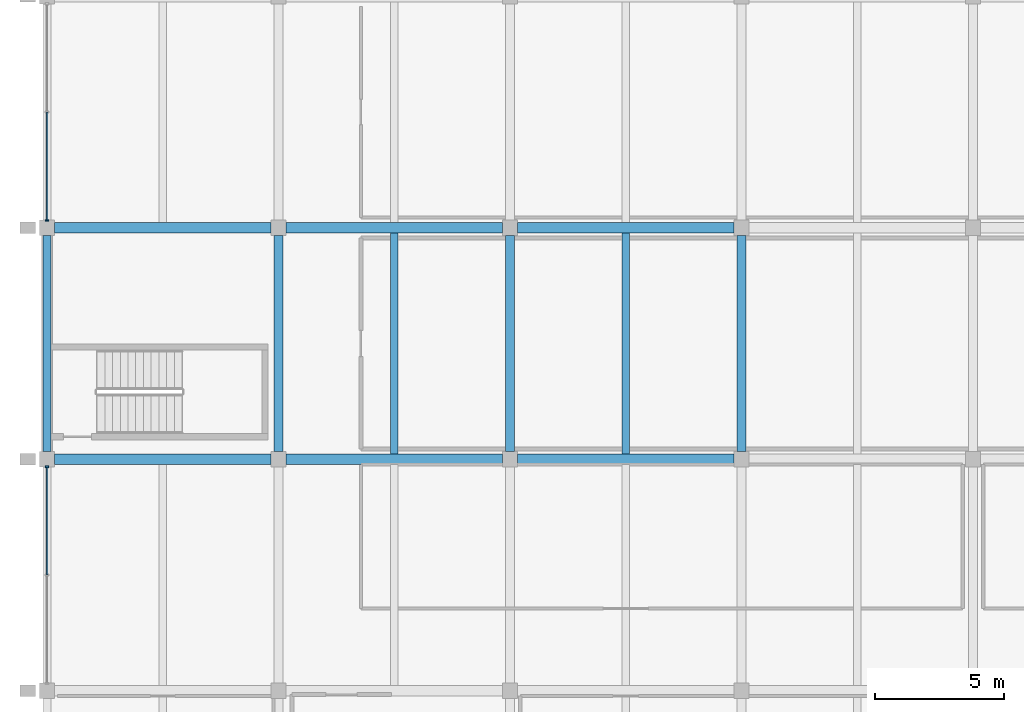
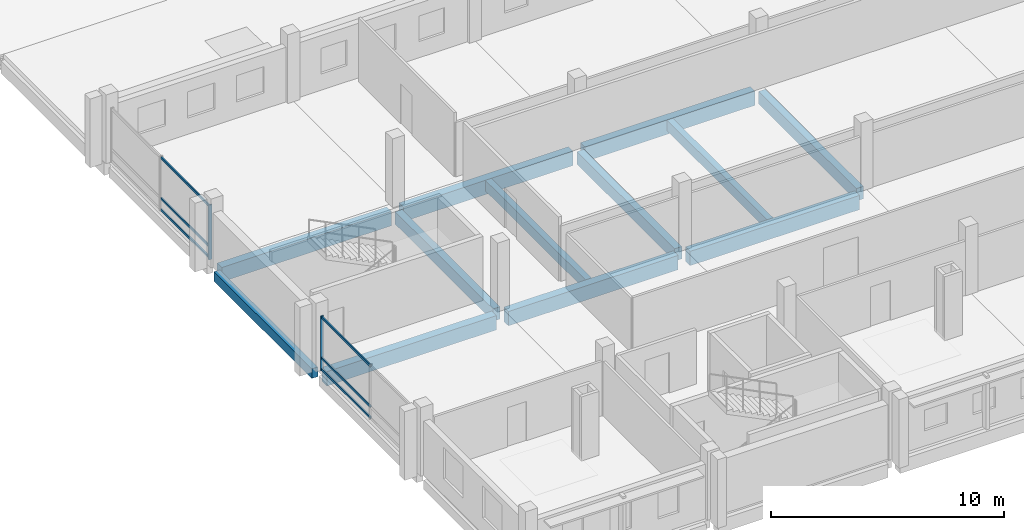
# One storey, part 10 of 163: 12 beams, 8 members, 2 elements without a shape of their own.
"""IFC4 building model written with IfcOpenShell, lengths in metres."""

from ifc_helpers import new_model, si_unit, direction, frame, origin, origin_2d, place, context, subcontext, project, spatial, rectangle, extrude, material, material_profile, profile_set, type_object, element, aggregate, save


model = new_model("IFC4")

# Units and contexts
model_context = context("Model", 3, precision=1e-05, world=origin(), true_north=direction((0.0, 1.0)))
body_context = subcontext(model_context, "Body", "Model", "MODEL_VIEW")
ifc_project = project(units=[si_unit("LENGTHUNIT", "METRE"), si_unit("AREAUNIT", "SQUARE_METRE"), si_unit("VOLUMEUNIT", "CUBIC_METRE"), si_unit("PLANEANGLEUNIT", "RADIAN"), si_unit("MASSUNIT", "GRAM", prefix="KILO")], contexts=[model_context])

# Site, building, storey
site_placement = place(None, origin())
site = spatial("IfcSite", under=ifc_project, at=site_placement, CompositionType="ELEMENT")
building_placement = place(site_placement, origin())
building = spatial("IfcBuilding", under=site, at=building_placement, Name="Tharagai Park Tramway Depot", CompositionType="ELEMENT")
storey_placement = place(building_placement, frame((0.0, 0.0, 8.39990234375)))
storey = spatial("IfcBuildingStorey", under=building, at=storey_placement, Name="L02", CompositionType="ELEMENT", Elevation=8.39990234375)

# Beams
ifc_material_1 = material(Name="Concrete M35", Category="concrete")
ifc_material_profile_1 = material_profile(ifc_material_1, rectangle(XDim=0.35009765625, YDim=0.64990234375, at=origin_2d()), Name="RC 350x650")
ifc_profile_set_1 = profile_set([ifc_material_profile_1], Name="Concrete M35")
beam_type_1 = type_object("IfcBeamType", Name="BM-13", PredefinedType="BEAM", material=ifc_profile_set_1)
for number, where, z_axis, x_axis, name in (
    (1, (9.0, 18.300048828125, -0.574951171875), (0.0, 1.0, 0.0), (-1.0, 0.0, 0.0), "L02 Grid Beam BM-13"),
    (2, (18.0, 18.300048828125, -0.574951171875), (0.0, 1.0, 0.0), (-1.0, 0.0, 0.0), "L02 Grid Beam BM-13"),
    (3, (27.0, 18.300048828125, -0.574951171875), (0.0, 1.0, 0.0), (-1.0, 0.0, 0.0), "L02 Grid Beam BM-13"),
):
    element("IfcBeam", number, at=place(storey_placement, frame(where, z_axis=z_axis, x_axis=x_axis)), inside=storey, type_object=beam_type_1, Name=name, PredefinedType="BEAM", context=body_context, shape_type="SweptSolid", body=[
        extrude(rectangle(XDim=0.35009765625, YDim=0.64990234375, at=origin_2d()), origin(), (0.0, 0.0, 1.0), 8.39990234375),
    ])
ifc_material_profile_2 = material_profile(ifc_material_1, rectangle(XDim=0.39990234375, YDim=0.75, at=origin_2d()), Name="RC 400x750")
ifc_profile_set_2 = profile_set([ifc_material_profile_2], Name="Concrete M35")
beam_type_2 = type_object("IfcBeamType", Name="BM-19", PredefinedType="BEAM", material=ifc_profile_set_2)
for number, where, z_axis, x_axis, name in (
    (4, (0.300048828125, 18.0, -0.625), (1.0, 0.0, 0.0), (0.0, 1.0, 0.0), "L02 Grid Beam BM-19"),
    (5, (9.300048828125, 18.0, -0.625), (1.0, 0.0, 0.0), (0.0, 1.0, 0.0), "L02 Grid Beam BM-19"),
    (6, (18.300048828125, 18.0, -0.625), (1.0, 0.0, 0.0), (0.0, 1.0, 0.0), "L02 Grid Beam BM-19"),
    (7, (0.300048828125, 27.0, -0.625), (1.0, 0.0, 0.0), (0.0, 1.0, 0.0), "L02 Grid Beam BM-19"),
    (8, (9.300048828125, 27.0, -0.625), (1.0, 0.0, 0.0), (0.0, 1.0, 0.0), "L02 Grid Beam BM-19"),
    (9, (18.300048828125, 27.0, -0.625), (1.0, 0.0, 0.0), (0.0, 1.0, 0.0), "L02 Grid Beam BM-19"),
):
    element("IfcBeam", number, at=place(storey_placement, frame(where, z_axis=z_axis, x_axis=x_axis)), inside=storey, type_object=beam_type_2, Name=name, PredefinedType="BEAM", context=body_context, shape_type="SweptSolid", body=[
        extrude(rectangle(XDim=0.39990234375, YDim=0.75, at=origin_2d()), origin(), (0.0, 0.0, 1.0), 8.39990234375),
    ])

# Curtain wall, members
ifc_material_2 = material(Name="Anodised aluminium", Category="aluminium")
curtain_wall_type = type_object("IfcCurtainWallType", Name="CW-07", PredefinedType="NOTDEFINED", material=ifc_material_2)
curtain_wall_1_placement = place(storey_placement, origin())
curtain_wall_1 = element("IfcCurtainWall", 10, at=curtain_wall_1_placement, inside=storey, type_object=curtain_wall_type, Name="L02 V4 Side Mullioned Curtain Wall CW-07", PredefinedType="NOTDEFINED")
ifc_material_profile_3 = material_profile(ifc_material_2, rectangle(XDim=0.06494140625, YDim=0.1201171875, at=origin_2d()), Name="ALU 65x120")
ifc_profile_set_3 = profile_set([ifc_material_profile_3], Name="Anodised aluminium")
member_type_1 = type_object("IfcMemberType", Name="CM-01", PredefinedType="USERDEFINED", material=ifc_profile_set_3)
member_1_placement = place(storey_placement, frame((0.0, 13.514892578125, 0.06005859375), z_axis=(0.0, 1.0, 0.0), x_axis=(-1.0, 0.0, 0.0)))
member_1 = element("IfcMember", 11, at=member_1_placement, type_object=member_type_1, Name="L02 V4 Side Mullioned Curtain Wall Transom 2.1", ObjectType="TRANSOM", PredefinedType="USERDEFINED", context=body_context, shape_type="SweptSolid", body=[
    extrude(rectangle(XDim=0.06494140625, YDim=0.1201171875, at=origin_2d()), origin(), (0.0, 0.0, 1.0), 4.18017578125),
])
member_2_placement = place(storey_placement, frame((0.0, 13.514892578125, 0.650146484375), z_axis=(0.0, 1.0, 0.0), x_axis=(-1.0, 0.0, 0.0)))
member_2 = element("IfcMember", 12, at=member_2_placement, type_object=member_type_1, Name="L02 V4 Side Mullioned Curtain Wall Transom 2.2", ObjectType="TRANSOM", PredefinedType="USERDEFINED", context=body_context, shape_type="SweptSolid", body=[
    extrude(rectangle(XDim=0.06494140625, YDim=0.1201171875, at=origin_2d()), origin(), (0.0, 0.0, 1.0), 4.18017578125),
])
member_3_placement = place(storey_placement, frame((0.0, 13.514892578125, 2.77001953125), z_axis=(0.0, 1.0, 0.0), x_axis=(-1.0, 0.0, 0.0)))
member_3 = element("IfcMember", 13, at=member_3_placement, type_object=member_type_1, Name="L02 V4 Side Mullioned Curtain Wall Transom 2.3", ObjectType="TRANSOM", PredefinedType="USERDEFINED", context=body_context, shape_type="SweptSolid", body=[
    extrude(rectangle(XDim=0.06494140625, YDim=0.1201171875, at=origin_2d()), origin(), (0.0, 0.0, 1.0), 4.18017578125),
])

curtain_wall_2_placement = place(storey_placement, origin())
curtain_wall_2 = element("IfcCurtainWall", 14, at=curtain_wall_2_placement, inside=storey, type_object=curtain_wall_type, Name="L02 V4 Side Mullioned Curtain Wall CW-07", PredefinedType="NOTDEFINED")
member_4_placement = place(storey_placement, frame((0.0, 27.304931640625, 0.06005859375), z_axis=(0.0, 1.0, 0.0), x_axis=(-1.0, 0.0, 0.0)))
member_4 = element("IfcMember", 15, at=member_4_placement, type_object=member_type_1, Name="L02 V4 Side Mullioned Curtain Wall Transom 1.1", ObjectType="TRANSOM", PredefinedType="USERDEFINED", context=body_context, shape_type="SweptSolid", body=[
    extrude(rectangle(XDim=0.06494140625, YDim=0.1201171875, at=origin_2d()), origin(), (0.0, 0.0, 1.0), 4.18017578125),
])
member_5_placement = place(storey_placement, frame((0.0, 27.304931640625, 0.650146484375), z_axis=(0.0, 1.0, 0.0), x_axis=(-1.0, 0.0, 0.0)))
member_5 = element("IfcMember", 16, at=member_5_placement, type_object=member_type_1, Name="L02 V4 Side Mullioned Curtain Wall Transom 1.2", ObjectType="TRANSOM", PredefinedType="USERDEFINED", context=body_context, shape_type="SweptSolid", body=[
    extrude(rectangle(XDim=0.06494140625, YDim=0.1201171875, at=origin_2d()), origin(), (0.0, 0.0, 1.0), 4.18017578125),
])
member_6_placement = place(storey_placement, frame((0.0, 27.304931640625, 2.77001953125), z_axis=(0.0, 1.0, 0.0), x_axis=(-1.0, 0.0, 0.0)))
member_6 = element("IfcMember", 17, at=member_6_placement, type_object=member_type_1, Name="L02 V4 Side Mullioned Curtain Wall Transom 1.3", ObjectType="TRANSOM", PredefinedType="USERDEFINED", context=body_context, shape_type="SweptSolid", body=[
    extrude(rectangle(XDim=0.06494140625, YDim=0.1201171875, at=origin_2d()), origin(), (0.0, 0.0, 1.0), 4.18017578125),
])

# Member
ifc_material_profile_4 = material_profile(ifc_material_2, rectangle(XDim=0.06494140625, YDim=0.14990234375, at=origin_2d()), Name="ALU 65x150")
ifc_profile_set_4 = profile_set([ifc_material_profile_4], Name="Anodised aluminium")
member_type_2 = type_object("IfcMemberType", Name="CM-03", PredefinedType="MULLION", material=ifc_profile_set_4)
member_7_placement = place(storey_placement, frame((0.0, 17.7099609375, -0.0048828125), z_axis=(0.0, 0.0, 1.0), x_axis=(0.0, 1.0, 0.0)))
member_7 = element("IfcMember", 18, at=member_7_placement, type_object=member_type_2, Name="L02 V4 Side Mullioned Curtain Wall Mullion 3", PredefinedType="MULLION", context=body_context, shape_type="SweptSolid", body=[
    extrude(rectangle(XDim=0.06494140625, YDim=0.14990234375, at=origin_2d()), origin(), (0.0, 0.0, 1.0), 2.85986328125),
])

aggregate(curtain_wall_1, [member_7, member_1, member_2, member_3])

member_8_placement = place(storey_placement, frame((0.0, 27.2900390625, -0.0048828125), z_axis=(0.0, 0.0, 1.0), x_axis=(0.0, 1.0, 0.0)))
member_8 = element("IfcMember", 19, at=member_8_placement, type_object=member_type_2, Name="L02 V4 Side Mullioned Curtain Wall Mullion 1", PredefinedType="MULLION", context=body_context, shape_type="SweptSolid", body=[
    extrude(rectangle(XDim=0.06494140625, YDim=0.14990234375, at=origin_2d()), origin(), (0.0, 0.0, 1.0), 2.85986328125),
])

aggregate(curtain_wall_2, [member_8, member_4, member_5, member_6])

# Beams
ifc_material_profile_5 = material_profile(ifc_material_1, rectangle(XDim=0.300048828125, YDim=0.550048828125, at=origin_2d()), Name="RC 300x550")
ifc_profile_set_5 = profile_set([ifc_material_profile_5], Name="Concrete M35")
beam_type_3 = type_object("IfcBeamType", Name="JT-06", PredefinedType="JOIST", material=ifc_profile_set_5)
for number, where, z_axis, x_axis, name in (
    (20, (13.5, 18.199951171875, -0.52490234375), (0.0, 1.0, 0.0), (-1.0, 0.0, 0.0), "L02 Secondary Joist JT-06"),
    (21, (22.5, 18.199951171875, -0.52490234375), (0.0, 1.0, 0.0), (-1.0, 0.0, 0.0), "L02 Secondary Joist JT-06"),
):
    element("IfcBeam", number, at=place(storey_placement, frame(where, z_axis=z_axis, x_axis=x_axis)), inside=storey, type_object=beam_type_3, Name=name, PredefinedType="JOIST", context=body_context, shape_type="SweptSolid", body=[
        extrude(rectangle(XDim=0.300048828125, YDim=0.550048828125, at=origin_2d()), origin(), (0.0, 0.0, 1.0), 8.60009765625),
    ])
ifc_material_profile_6 = material_profile(ifc_material_1, rectangle(XDim=0.300048828125, YDim=0.5, at=origin_2d()), Name="RC 300x500")
ifc_profile_set_6 = profile_set([ifc_material_profile_6], Name="Concrete M35")
beam_type_4 = type_object("IfcBeamType", Name="SP-03", PredefinedType="SPANDREL", material=ifc_profile_set_6)
beam_placement = place(storey_placement, frame((0.0, 18.300048828125, -0.5), z_axis=(0.0, 1.0, 0.0), x_axis=(-1.0, 0.0, 0.0)))
element("IfcBeam", 22, at=beam_placement, inside=storey, type_object=beam_type_4, Name="L02 Grid Beam SP-03", PredefinedType="SPANDREL", context=body_context, shape_type="SweptSolid", body=[
    extrude(rectangle(XDim=0.300048828125, YDim=0.5, at=origin_2d()), origin(), (0.0, 0.0, 1.0), 8.39990234375),
])

save(model, "model.ifc")
